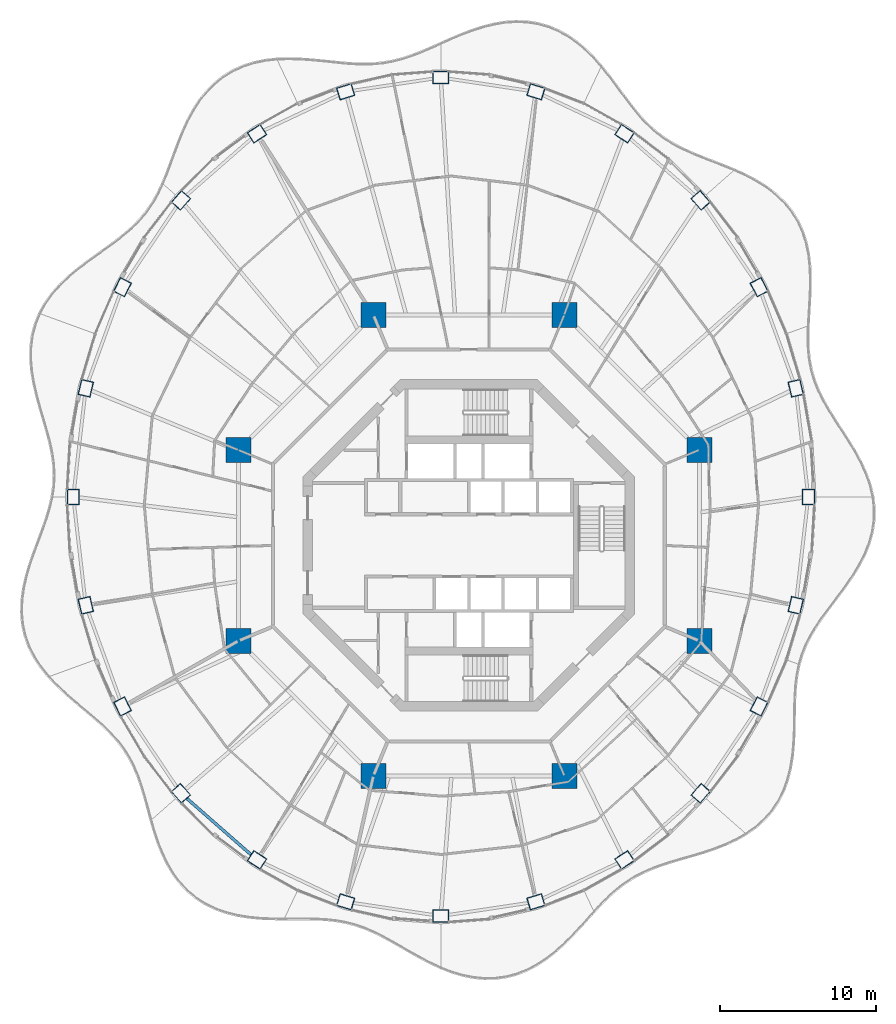
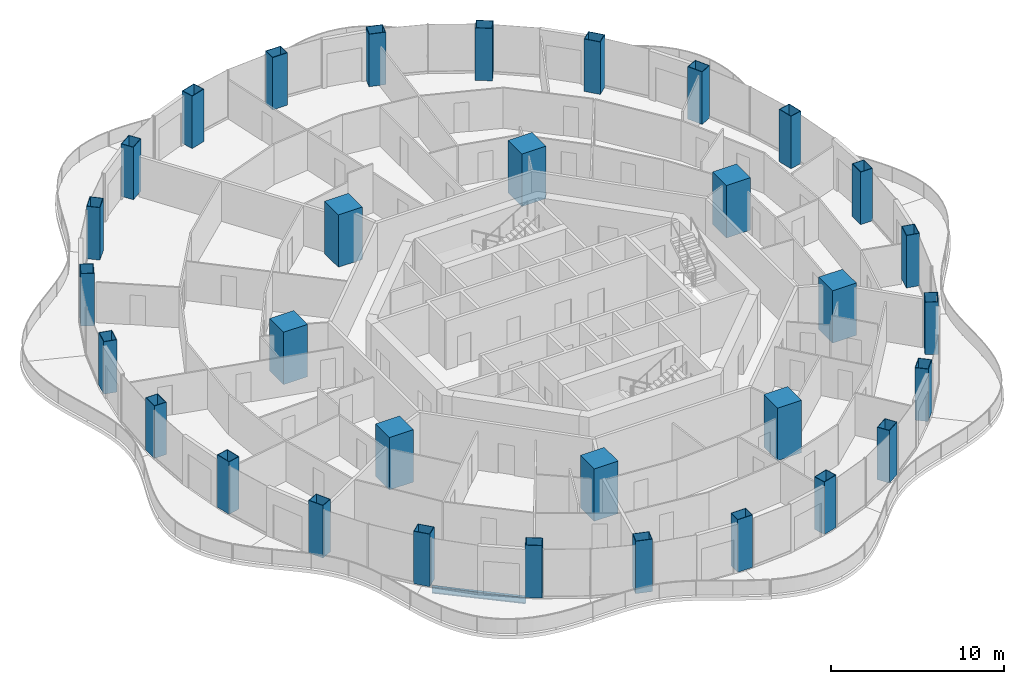
# One storey, part 1 of 18: 32 columns, 1 beam.
"""IFC4 building model written with IfcOpenShell, lengths in metres."""

from ifc_helpers import new_model, si_unit, direction, frame, origin, origin_2d, place, context, subcontext, project, spatial, rectangle, hollow_rectangle, i_section, extrude, material, material_profile, profile_set, type_object, element, save


model = new_model("IFC4")

# Units and contexts
model_context = context("Model", 3, precision=1e-05, world=origin(), true_north=direction((0.0, 1.0)))
body_context = subcontext(model_context, "Body", "Model", "MODEL_VIEW")
ifc_project = project(units=[si_unit("LENGTHUNIT", "METRE"), si_unit("AREAUNIT", "SQUARE_METRE"), si_unit("VOLUMEUNIT", "CUBIC_METRE"), si_unit("PLANEANGLEUNIT", "RADIAN"), si_unit("MASSUNIT", "GRAM", prefix="KILO")], contexts=[model_context])

# Site, building, storey
site_placement = place(None, origin())
site = spatial("IfcSite", under=ifc_project, at=site_placement, CompositionType="ELEMENT")
building_placement = place(site_placement, origin())
building = spatial("IfcBuilding", under=site, at=building_placement, Name="Nagisa Residences", CompositionType="ELEMENT")
storey_placement = place(building_placement, frame((0.0, 0.0, 241.800048828125)))
storey = spatial("IfcBuildingStorey", under=building, at=storey_placement, Name="L61", CompositionType="ELEMENT", Elevation=241.800048828125)

# Columns
ifc_material_1 = material(Name="Concrete C80", Category="concrete")
ifc_material_profile_1 = material_profile(ifc_material_1, rectangle(XDim=1.60009765625, YDim=1.60009765625, at=origin_2d()), Name="C80 1600x1600")
ifc_profile_set_1 = profile_set([ifc_material_profile_1], Name="Concrete C80")
column_type_1 = type_object("IfcColumnType", Name="Inner megacolumn C80 1600x1600", PredefinedType="COLUMN", material=ifc_profile_set_1)
for number, where, z_axis, x_axis, name in (
    (1, (14.781982421875, 6.123046875, 0.0), (0.0, 0.0, 1.0), (1.0, 0.0, 0.0), "col:L61:i1"),
    (2, (6.123046875, 14.781982421875, 0.0), (0.0, 0.0, 1.0), (1.0, 0.0, 0.0), "col:L61:i2"),
    (3, (-6.123046875, 14.781982421875, 0.0), (0.0, 0.0, 1.0), (1.0, 0.0, 0.0), "col:L61:i3"),
    (4, (-14.781982421875, 6.123046875, 0.0), (0.0, 0.0, 1.0), (1.0, 0.0, 0.0), "col:L61:i4"),
    (5, (-14.781982421875, -6.123046875, 0.0), (0.0, 0.0, 1.0), (1.0, 0.0, 0.0), "col:L61:i5"),
    (6, (-6.123046875, -14.781982421875, 0.0), (0.0, 0.0, 1.0), (1.0, 0.0, 0.0), "col:L61:i6"),
    (7, (6.123046875, -14.781982421875, 0.0), (0.0, 0.0, 1.0), (1.0, 0.0, 0.0), "col:L61:i7"),
    (8, (14.781982421875, -6.123046875, 0.0), (0.0, 0.0, 1.0), (1.0, 0.0, 0.0), "col:L61:i8"),
):
    element("IfcColumn", number, at=place(storey_placement, frame(where, z_axis=z_axis, x_axis=x_axis)), inside=storey, type_object=column_type_1, Name=name, PredefinedType="COLUMN", context=body_context, shape_type="SweptSolid", body=[
        extrude(rectangle(XDim=1.60009765625, YDim=1.60009765625, at=origin_2d()), origin(), (0.0, 0.0, 1.0), 3.699951171875),
    ])
ifc_material_2 = material(Name="Steel ASTM A572 Gr 50", Category="steel")
ifc_material_profile_2 = material_profile(ifc_material_2, hollow_rectangle(XDim=1.0, YDim=0.800048828125, WallThickness=0.031982421875, at=origin_2d()), Name="BX 1000x800x32")
ifc_profile_set_2 = profile_set([ifc_material_profile_2], Name="Steel ASTM A572 Gr 50")
column_type_2 = type_object("IfcColumnType", Name="Perimeter column BX 1000x800x32", PredefinedType="COLUMN", material=ifc_profile_set_2)
for number, where, z_axis, x_axis, name in (
    (9, (21.77001953125, 3.11767578125, 0.0), (0.0, 0.0, 1.0), (0.0, 1.0, 0.0), "col:L61:p00"),
    (10, (20.966796875, 10.077392578125, 0.0), (0.0, 0.0, 1.0), (-0.229202013103, 0.973378876486, 0.0), "col:L61:p01"),
    (11, (18.6123046875, 16.562744140625, 0.0), (0.0, 0.0, 1.0), (-0.452462697578, 0.891783329795, 0.0), "col:L61:p02"),
    (12, (14.866455078125, 22.1318359375, 0.0), (0.0, 0.0, 1.0), (-0.660114607735, 0.751164898445, 0.0), "col:L61:p03"),
    (13, (9.985107421875, 26.405029296875, 0.0), (0.0, 0.0, 1.0), (-0.835766105673, 0.54908561865, 0.0), "col:L61:p04"),
    (14, (4.30029296875, 29.091552734375, 0.0), (0.0, 0.0, 1.0), (-0.956524583408, 0.291651712384, 0.0), "col:L61:p05"),
    (15, (-1.800048828125, 30.0078125, 0.0), (0.0, 0.0, 1.0), (-1.0, 0.0, 0.0), "col:L61:p06"),
    (16, (-7.900390625, 29.091552734375, 0.0), (0.0, 0.0, 1.0), (-0.956524583408, -0.291651712384, 0.0), "col:L61:p07"),
    (17, (-13.5849609375, 26.405029296875, 0.0), (0.0, 0.0, 1.0), (-0.835766105673, -0.54908561865, 0.0), "col:L61:p08"),
    (18, (-18.466552734375, 22.1318359375, 0.0), (0.0, 0.0, 1.0), (-0.660114607735, -0.751164898445, 0.0), "col:L61:p09"),
    (19, (-22.212158203125, 16.562744140625, 0.0), (0.0, 0.0, 1.0), (-0.452462697578, -0.891783329795, 0.0), "col:L61:p10"),
    (20, (-24.56689453125, 10.077392578125, 0.0), (0.0, 0.0, 1.0), (-0.229202013103, -0.973378876486, 0.0), "col:L61:p11"),
    (21, (-25.3701171875, 3.11767578125, 0.0), (0.0, 0.0, 1.0), (0.0, -1.0, 0.0), "col:L61:p12"),
    (22, (-24.56689453125, -3.842041015625, 0.0), (0.0, 0.0, 1.0), (0.229202013103, -0.973378876486, 0.0), "col:L61:p13"),
    (23, (-22.212158203125, -10.327392578125, 0.0), (0.0, 0.0, 1.0), (0.452462697578, -0.891783329795, 0.0), "col:L61:p14"),
    (24, (-18.466552734375, -15.896484375, 0.0), (0.0, 0.0, 1.0), (0.660114607735, -0.751164898445, 0.0), "col:L61:p15"),
    (25, (-13.5849609375, -20.169677734375, 0.0), (0.0, 0.0, 1.0), (0.835766105673, -0.54908561865, 0.0), "col:L61:p16"),
    (26, (-7.900390625, -22.85595703125, 0.0), (0.0, 0.0, 1.0), (0.956524583408, -0.291651712384, 0.0), "col:L61:p17"),
    (27, (-1.800048828125, -23.772216796875, 0.0), (0.0, 0.0, 1.0), (1.0, 0.0, 0.0), "col:L61:p18"),
    (28, (4.30029296875, -22.85595703125, 0.0), (0.0, 0.0, 1.0), (0.956524583408, 0.291651712384, 0.0), "col:L61:p19"),
    (29, (9.985107421875, -20.169677734375, 0.0), (0.0, 0.0, 1.0), (0.835766105673, 0.54908561865, 0.0), "col:L61:p20"),
    (30, (14.866455078125, -15.896484375, 0.0), (0.0, 0.0, 1.0), (0.660114607735, 0.751164898445, 0.0), "col:L61:p21"),
    (31, (18.6123046875, -10.327392578125, 0.0), (0.0, 0.0, 1.0), (0.452462697578, 0.891783329795, 0.0), "col:L61:p22"),
    (32, (20.966796875, -3.842041015625, 0.0), (0.0, 0.0, 1.0), (0.229202013103, 0.973378876486, 0.0), "col:L61:p23"),
):
    element("IfcColumn", number, at=place(storey_placement, frame(where, z_axis=z_axis, x_axis=x_axis)), inside=storey, type_object=column_type_2, Name=name, PredefinedType="COLUMN", context=body_context, shape_type="SweptSolid", body=[
        extrude(hollow_rectangle(XDim=1.0, YDim=0.800048828125, WallThickness=0.031982421875, at=origin_2d()), origin(), (0.0, 0.0, 1.0), 3.699951171875),
    ])

# Beam
ifc_material_3 = material(Name="Steel ASTM A572 Gr 50", Category="steel")
ifc_material_profile_3 = material_profile(ifc_material_3, i_section(OverallWidth=0.18994140625, OverallDepth=0.45703125, WebThickness=0.009033203125, FlangeThickness=0.014404296875, at=origin_2d()), Name="W460x74")
ifc_profile_set_3 = profile_set([ifc_material_profile_3], Name="Steel ASTM A572 Gr 50")
beam_type = type_object("IfcBeamType", Name="Perimeter ring beam W460x74", PredefinedType="BEAM", material=ifc_profile_set_3)
beam_placement = place(storey_placement, frame((-18.10205078125, -16.21533203125, -0.488525390625), z_axis=(0.75242320672, -0.65867998147, 0.0), x_axis=(0.65867998147, 0.75242320672, 0.0)))
element("IfcBeam", 33, at=beam_placement, inside=storey, type_object=beam_type, Name="beam:L61:pb16", PredefinedType="BEAM", context=body_context, shape_type="SweptSolid", body=[
    extrude(i_section(OverallWidth=0.18994140625, OverallDepth=0.45703125, WebThickness=0.009033203125, FlangeThickness=0.014404296875, at=origin_2d()), origin(), (0.0, 0.0, 1.0), 5.5185546875),
])

save(model, "model.ifc")
